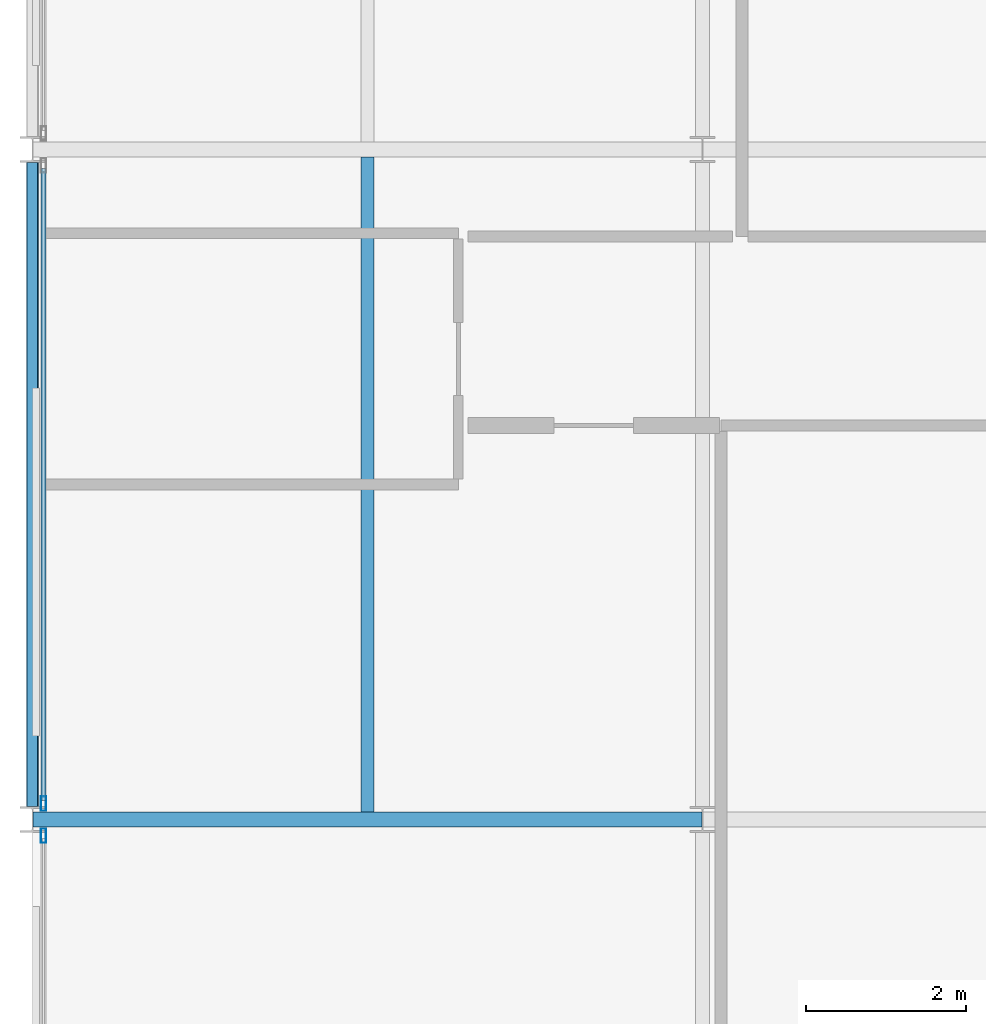
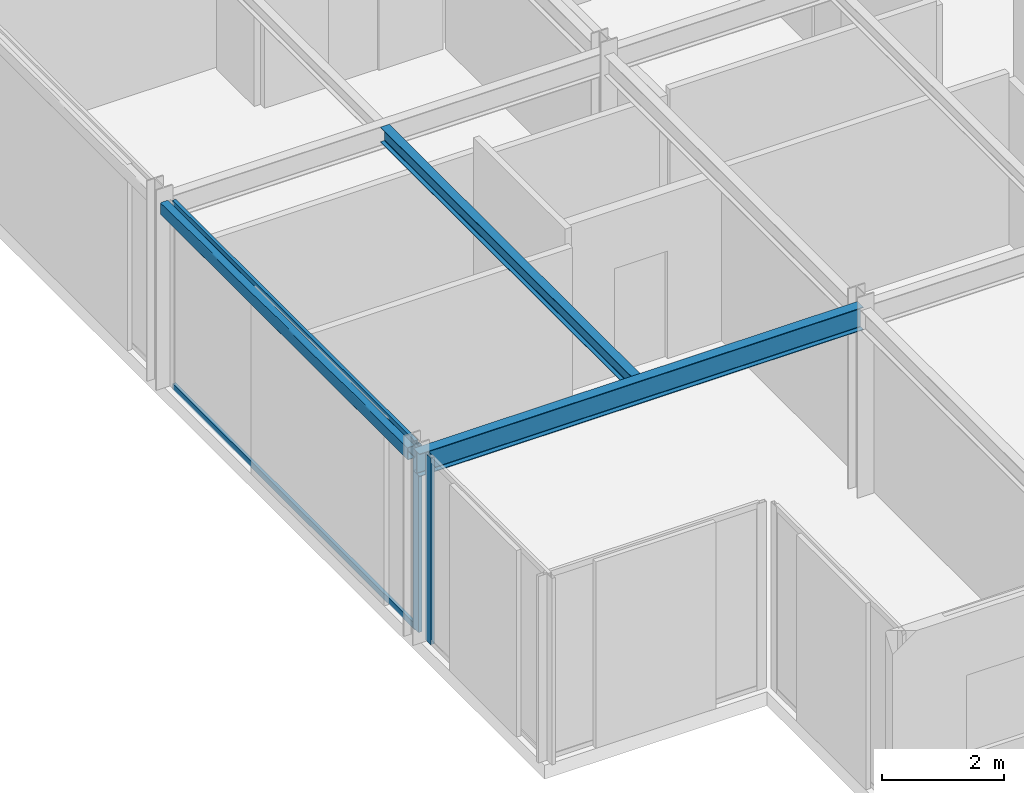
# One storey, part 5 of 24: 4 members, 3 beams, 2 elements without a shape of their own.
"""IFC4 building model written with IfcOpenShell, lengths in metres."""

from ifc_helpers import new_model, si_unit, direction, frame, origin, origin_2d, place, context, subcontext, project, spatial, hollow_rectangle, i_section, extrude, material, layer, layer_set, material_profile, profile_set, type_object, element, aggregate, save


model = new_model("IFC4")

# Units and contexts
model_context = context("Model", 3, precision=1e-05, world=origin(), true_north=direction((0.0, 1.0)))
body_context = subcontext(model_context, "Body", "Model", "MODEL_VIEW")
ifc_project = project(units=[si_unit("LENGTHUNIT", "METRE"), si_unit("AREAUNIT", "SQUARE_METRE"), si_unit("VOLUMEUNIT", "CUBIC_METRE"), si_unit("PLANEANGLEUNIT", "RADIAN"), si_unit("MASSUNIT", "GRAM", prefix="KILO")], contexts=[model_context])

# Site, building, storey
site_placement = place(None, origin())
site = spatial("IfcSite", under=ifc_project, at=site_placement, CompositionType="ELEMENT")
building_placement = place(site_placement, origin())
building = spatial("IfcBuilding", under=site, at=building_placement, Name="Nerrivon Quay Data Exchange", CompositionType="ELEMENT")
storey_placement = place(building_placement, frame((0.0, 0.0, 310.199951171875)))
storey = spatial("IfcBuildingStorey", under=building, at=storey_placement, Name="L74", CompositionType="ELEMENT", Elevation=310.199951171875)

# Beams
ifc_material_1 = material(Name="Steel Grade 350", Category="steel")
ifc_material_profile_1 = material_profile(ifc_material_1, i_section(OverallWidth=0.18994140625, OverallDepth=0.4541015625, WebThickness=0.008544921875, FlangeThickness=0.0126953125, FilletRadius=0.011474609375, at=origin_2d()), Name="460UB67.1")
ifc_profile_set_1 = profile_set([ifc_material_profile_1], Name="Steel Grade 350")
beam_type_1 = type_object("IfcBeamType", Name="BM-G6-460UB67", PredefinedType="BEAM", material=ifc_profile_set_1)
beam_1_placement = place(storey_placement, frame((0.0078125, 8.39990234375, 3.498046875), z_axis=(1.0, 0.0, 0.0), x_axis=(0.0, 1.0, 0.0)))
element("IfcBeam", 1, at=beam_1_placement, inside=storey, type_object=beam_type_1, Name="L74 EW Girder Y=8.4 (0.0..8.4)", PredefinedType="BEAM", context=body_context, shape_type="SweptSolid", body=[
    extrude(i_section(OverallWidth=0.18994140625, OverallDepth=0.4541015625, WebThickness=0.008544921875, FlangeThickness=0.0126953125, FilletRadius=0.011474609375, at=origin_2d()), origin(), (0.0, 0.0, 1.0), 8.38427734375),
])
ifc_material_profile_2 = material_profile(ifc_material_1, i_section(OverallWidth=0.1650390625, OverallDepth=0.303955078125, WebThickness=0.006103515625, FlangeThickness=0.01025390625, FilletRadius=0.011474609375, at=origin_2d()), Name="310UB40.4")
ifc_profile_set_2 = profile_set([ifc_material_profile_2], Name="Steel Grade 350")
beam_type_2 = type_object("IfcBeamType", Name="BM-J6-310UB40", PredefinedType="JOIST", material=ifc_profile_set_2)
beam_2_placement = place(storey_placement, frame((4.199951171875, 8.4951171875, 3.572998046875), z_axis=(0.0, 1.0, 0.0), x_axis=(-1.0, 0.0, 0.0)))
element("IfcBeam", 2, at=beam_2_placement, inside=storey, type_object=beam_type_2, Name="L74 Secondary Joist X=4.2 (8.4..16.8)", PredefinedType="JOIST", context=body_context, shape_type="SweptSolid", body=[
    extrude(i_section(OverallWidth=0.1650390625, OverallDepth=0.303955078125, WebThickness=0.006103515625, FlangeThickness=0.01025390625, FilletRadius=0.011474609375, at=origin_2d()), origin(), (0.0, 0.0, 1.0), 8.2099609375),
])
ifc_material_2 = material(Name="Steel Grade C350L0 (350 MPa)", Category="steel")
ifc_material_profile_3 = material_profile(ifc_material_2, hollow_rectangle(XDim=0.14990234375, YDim=0.25, WallThickness=0.009033203125, InnerFilletRadius=0.013427734375, OuterFilletRadius=0.0224609375, at=origin_2d()), Name="250x150x9.0RHS")
ifc_profile_set_3 = profile_set([ifc_material_profile_3], Name="Steel Grade C350L0 (350 MPa)")
beam_type_3 = type_object("IfcBeamType", Name="BM-SP4-250x150RHS", PredefinedType="SPANDREL", material=ifc_profile_set_3)
beam_3_placement = place(storey_placement, frame((0.0, 8.5634765625, 3.60009765625), z_axis=(0.0, 1.0, 0.0), x_axis=(-1.0, 0.0, 0.0)))
element("IfcBeam", 3, at=beam_3_placement, inside=storey, type_object=beam_type_3, Name="L74 NS Girder X=0.0 (8.4..16.8)", PredefinedType="SPANDREL", context=body_context, shape_type="SweptSolid", body=[
    extrude(hollow_rectangle(XDim=0.14990234375, YDim=0.25, WallThickness=0.009033203125, InnerFilletRadius=0.013427734375, OuterFilletRadius=0.0224609375, at=origin_2d()), origin(), (0.0, 0.0, 1.0), 8.072998046875),
])

# Curtain wall, member
ifc_material_3 = material(Name="Anodised aluminium 6063-T6", Category="aluminium")
ifc_layer = layer(ifc_material_3, 0.195068359375)
ifc_layer_set = layer_set([ifc_layer], Name="Anodised aluminium 6063-T6")
curtain_wall_type = type_object("IfcCurtainWallType", Name="CW-SYS-06", PredefinedType="NOTDEFINED", material=ifc_layer_set)
curtain_wall_1_placement = place(storey_placement, origin())
curtain_wall_1 = element("IfcCurtainWall", 4, at=curtain_wall_1_placement, inside=storey, type_object=curtain_wall_type, Name="L74 Unitised Curtain Wall 8", PredefinedType="NOTDEFINED")
ifc_material_profile_4 = material_profile(ifc_material_3, hollow_rectangle(XDim=0.06494140625, YDim=0.179931640625, WallThickness=0.00341796875, at=origin_2d()), Name="ALU-MULL-180x65")
ifc_profile_set_4 = profile_set([ifc_material_profile_4], Name="Anodised aluminium 6063-T6")
member_type_1 = type_object("IfcMemberType", Name="CWM-180x65", PredefinedType="MULLION", material=ifc_profile_set_4)
member_1_placement = place(storey_placement, frame((0.139892578125, 8.198974609375, 0.0), z_axis=(0.0, 0.0, 1.0), x_axis=(-1.0, 0.0, 0.0)))
member_1 = element("IfcMember", 5, at=member_1_placement, type_object=member_type_1, Name="CW06 mullion 2", PredefinedType="MULLION", context=body_context, shape_type="SweptSolid", body=[
    extrude(hollow_rectangle(XDim=0.06494140625, YDim=0.179931640625, WallThickness=0.00341796875, at=origin_2d()), origin(), (0.0, 0.0, 1.0), 3.72509765625),
])
aggregate(curtain_wall_1, [member_1])

# Curtain wall, members
curtain_wall_2_placement = place(storey_placement, origin())
curtain_wall_2 = element("IfcCurtainWall", 6, at=curtain_wall_2_placement, inside=storey, type_object=curtain_wall_type, Name="L74 Unitised Curtain Wall 9", PredefinedType="NOTDEFINED")
member_2_placement = place(storey_placement, frame((0.139892578125, 8.60107421875, 0.0), z_axis=(0.0, 0.0, 1.0), x_axis=(-1.0, 0.0, 0.0)))
member_2 = element("IfcMember", 7, at=member_2_placement, type_object=member_type_1, Name="CW06 mullion 1", PredefinedType="MULLION", context=body_context, shape_type="SweptSolid", body=[
    extrude(hollow_rectangle(XDim=0.06494140625, YDim=0.179931640625, WallThickness=0.00341796875, at=origin_2d()), origin(), (0.0, 0.0, 1.0), 3.72509765625),
])
ifc_material_profile_5 = material_profile(ifc_material_3, hollow_rectangle(XDim=0.06005859375, YDim=0.1201171875, WallThickness=0.003173828125, at=origin_2d()), Name="ALU-TRAN-120x60")
ifc_profile_set_5 = profile_set([ifc_material_profile_5], Name="Anodised aluminium 6063-T6")
member_type_2 = type_object("IfcMemberType", Name="CWT-120x60", PredefinedType="USERDEFINED", material=ifc_profile_set_5)
member_3_placement = place(storey_placement, frame((0.139892578125, 8.638427734375, 0.032470703125), z_axis=(0.0, 1.0, 0.0), x_axis=(-1.0, 0.0, 0.0)))
member_3 = element("IfcMember", 8, at=member_3_placement, type_object=member_type_2, Name="CW06 transom 1.1", ObjectType="TRANSOM", PredefinedType="USERDEFINED", context=body_context, shape_type="SweptSolid", body=[
    extrude(hollow_rectangle(XDim=0.06005859375, YDim=0.1201171875, WallThickness=0.003173828125, at=origin_2d()), origin(), (0.0, 0.0, 1.0), 7.923095703125),
])
member_4_placement = place(storey_placement, frame((0.139892578125, 8.638427734375, 3.692626953125), z_axis=(0.0, 1.0, 0.0), x_axis=(-1.0, 0.0, 0.0)))
member_4 = element("IfcMember", 9, at=member_4_placement, type_object=member_type_2, Name="CW06 transom 1.2", ObjectType="TRANSOM", PredefinedType="USERDEFINED", context=body_context, shape_type="SweptSolid", body=[
    extrude(hollow_rectangle(XDim=0.06005859375, YDim=0.1201171875, WallThickness=0.003173828125, at=origin_2d()), origin(), (0.0, 0.0, 1.0), 7.923095703125),
])
aggregate(curtain_wall_2, [member_2, member_3, member_4])

save(model, "model.ifc")
